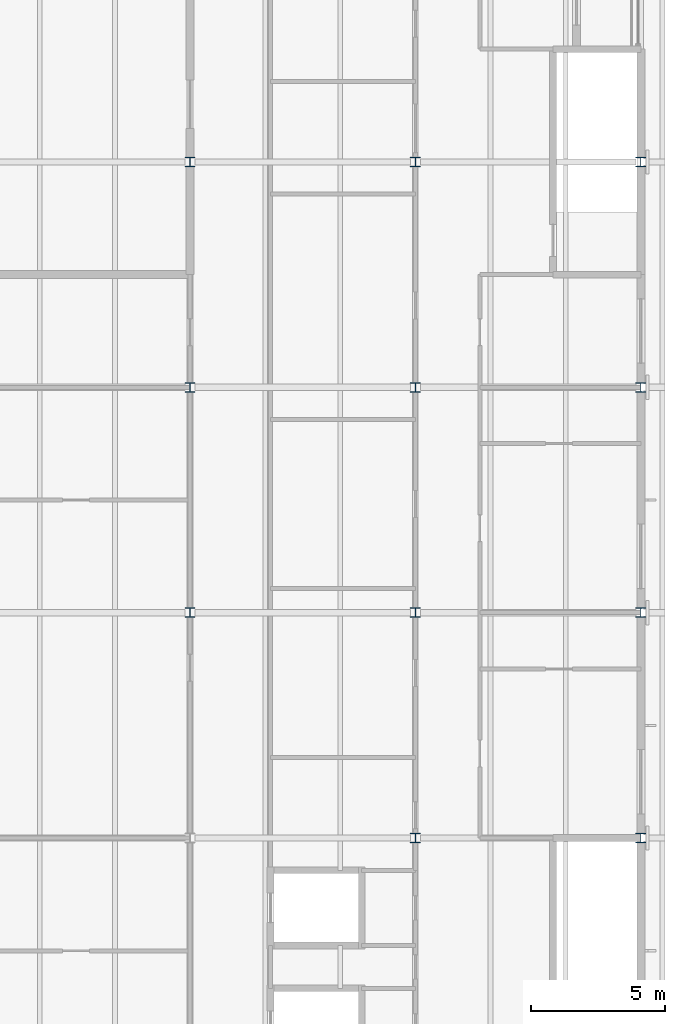
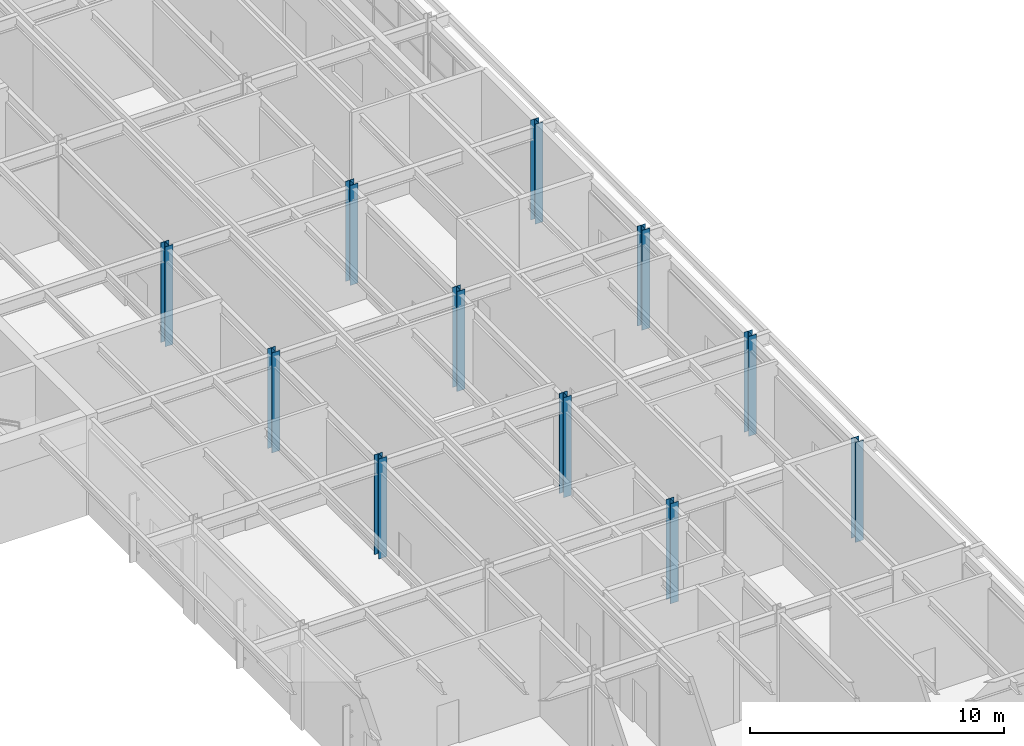
# One storey, part 6 of 116: 11 columns.
"""IFC4 building model written with IfcOpenShell, lengths in metres."""

from ifc_helpers import new_model, si_unit, direction, frame, origin, origin_2d, place, context, subcontext, project, spatial, i_section, extrude, material, material_profile, profile_set, type_object, element, save


model = new_model("IFC4")

# Units and contexts
model_context = context("Model", 3, precision=1e-05, world=origin(), true_north=direction((0.0, 1.0)))
body_context = subcontext(model_context, "Body", "Model", "MODEL_VIEW")
ifc_project = project(units=[si_unit("LENGTHUNIT", "METRE"), si_unit("AREAUNIT", "SQUARE_METRE"), si_unit("VOLUMEUNIT", "CUBIC_METRE"), si_unit("PLANEANGLEUNIT", "RADIAN"), si_unit("MASSUNIT", "GRAM", prefix="KILO")], contexts=[model_context])

# Site, building, storey
site_placement = place(None, origin())
site = spatial("IfcSite", under=ifc_project, at=site_placement, CompositionType="ELEMENT")
building_placement = place(site_placement, origin())
building = spatial("IfcBuilding", under=site, at=building_placement, Name="Ljudholm Concert House", CompositionType="ELEMENT")
storey_placement = place(building_placement, frame((0.0, 0.0, 10.199951171875)))
storey = spatial("IfcBuildingStorey", under=building, at=storey_placement, Name="L02", CompositionType="ELEMENT", Elevation=10.199951171875)

# Columns
ifc_material = material(Name="Steel ASTM A992", Category="steel")
ifc_material_profile = material_profile(ifc_material, i_section(OverallWidth=0.368408203125, OverallDepth=0.355712890625, WebThickness=0.01123046875, FlangeThickness=0.01806640625, FilletRadius=0.01513671875, at=origin_2d()), Name="W14X90")
ifc_profile_set = profile_set([ifc_material_profile], Name="Steel ASTM A992")
column_type = type_object("IfcColumnType", Name="STEEL COLUMN W14X90", PredefinedType="COLUMN", material=ifc_profile_set)
for number, where, z_axis, x_axis, name in (
    (1, (104.800048828125, 46.0, 0.0), (0.0, 0.0, 1.0), (1.0, 0.0, 0.0), "Column BOH-L02-col-104.8-46"),
    (2, (104.800048828125, 54.39990234375, 0.0), (0.0, 0.0, 1.0), (1.0, 0.0, 0.0), "Column BOH-L02-col-104.8-54.4"),
    (3, (104.800048828125, 62.800048828125, 0.0), (0.0, 0.0, 1.0), (1.0, 0.0, 0.0), "Column BOH-L02-col-104.8-62.8"),
    (4, (113.199951171875, 37.60009765625, 0.0), (0.0, 0.0, 1.0), (1.0, 0.0, 0.0), "Column BOH-L02-col-113.2-37.6"),
    (5, (113.199951171875, 46.0, 0.0), (0.0, 0.0, 1.0), (1.0, 0.0, 0.0), "Column BOH-L02-col-113.2-46"),
    (6, (113.199951171875, 54.39990234375, 0.0), (0.0, 0.0, 1.0), (1.0, 0.0, 0.0), "Column BOH-L02-col-113.2-54.4"),
    (7, (113.199951171875, 62.800048828125, 0.0), (0.0, 0.0, 1.0), (1.0, 0.0, 0.0), "Column BOH-L02-col-113.2-62.8"),
    (8, (121.60009765625, 37.60009765625, 0.0), (0.0, 0.0, 1.0), (1.0, 0.0, 0.0), "Column BOH-L02-col-121.6-37.6"),
    (9, (121.60009765625, 46.0, 0.0), (0.0, 0.0, 1.0), (1.0, 0.0, 0.0), "Column BOH-L02-col-121.6-46"),
    (10, (121.60009765625, 54.39990234375, 0.0), (0.0, 0.0, 1.0), (1.0, 0.0, 0.0), "Column BOH-L02-col-121.6-54.4"),
    (11, (121.60009765625, 62.800048828125, 0.0), (0.0, 0.0, 1.0), (1.0, 0.0, 0.0), "Column BOH-L02-col-121.6-62.8"),
):
    element("IfcColumn", number, at=place(storey_placement, frame(where, z_axis=z_axis, x_axis=x_axis)), inside=storey, type_object=column_type, Name=name, PredefinedType="COLUMN", context=body_context, shape_type="SweptSolid", body=[
        extrude(i_section(OverallWidth=0.368408203125, OverallDepth=0.355712890625, WebThickness=0.01123046875, FlangeThickness=0.01806640625, FilletRadius=0.01513671875, at=origin_2d()), origin(), (0.0, 0.0, 1.0), 4.800048828125),
    ])

save(model, "model.ifc")
